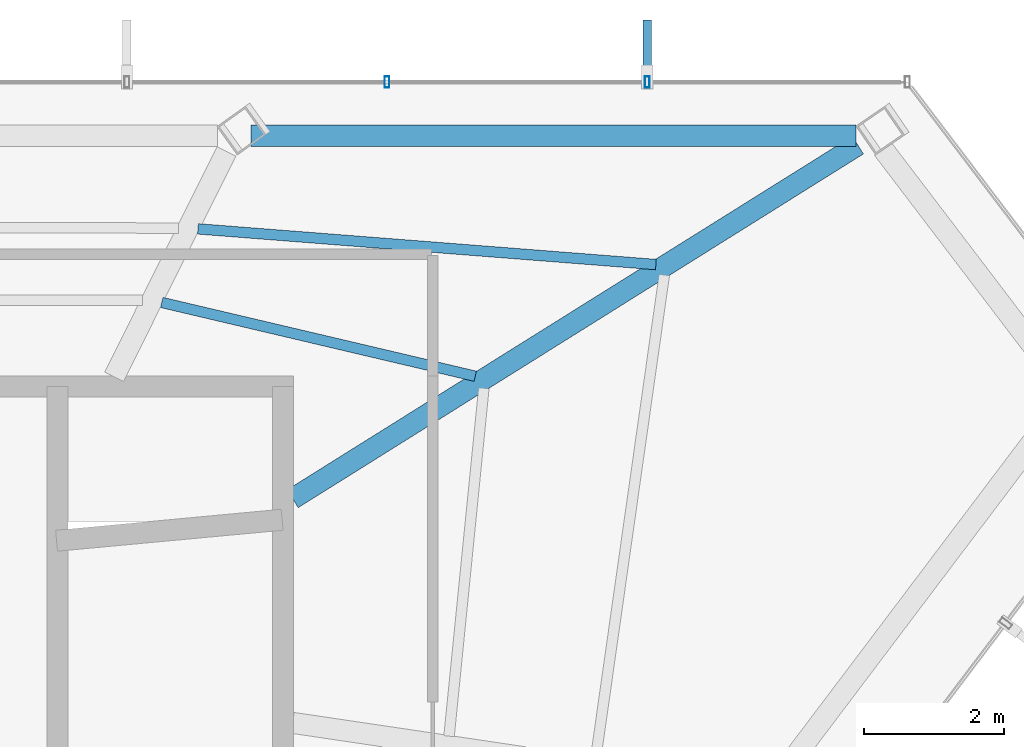
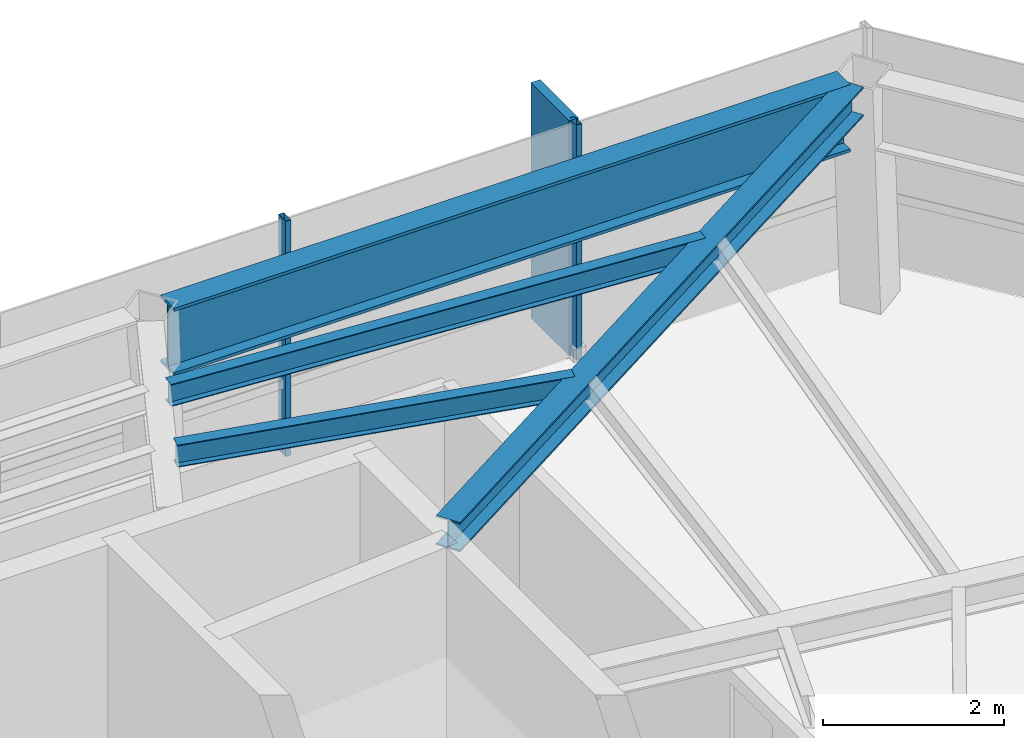
# One storey, part 19 of 25: 4 beams, 3 members, 1 element without a shape of its own.
"""IFC4 building model written with IfcOpenShell, lengths in metres."""

from ifc_helpers import new_model, si_unit, direction, frame, origin, origin_2d, place, context, subcontext, project, spatial, rectangle, hollow_rectangle, i_section, extrude, material, layer, layer_set, material_profile, profile_set, type_object, element, aggregate, save


model = new_model("IFC4")

# Units and contexts
model_context = context("Model", 3, precision=1e-05, world=origin(), true_north=direction((0.0, 1.0)))
body_context = subcontext(model_context, "Body", "Model", "MODEL_VIEW")
ifc_project = project(units=[si_unit("LENGTHUNIT", "METRE"), si_unit("AREAUNIT", "SQUARE_METRE"), si_unit("VOLUMEUNIT", "CUBIC_METRE"), si_unit("PLANEANGLEUNIT", "RADIAN"), si_unit("MASSUNIT", "GRAM", prefix="KILO")], contexts=[model_context])

# Site, building, storey
site_placement = place(None, origin())
site = spatial("IfcSite", under=ifc_project, at=site_placement, CompositionType="ELEMENT")
building_placement = place(site_placement, origin())
building = spatial("IfcBuilding", under=site, at=building_placement, Name="Zarrinselat Tower", CompositionType="ELEMENT")
storey_placement = place(building_placement, frame((0.0, 0.0, 275.39990234375)))
storey = spatial("IfcBuildingStorey", under=building, at=storey_placement, Name="L70", CompositionType="ELEMENT", Elevation=275.39990234375)

# Beams
ifc_material_1 = material(Name="Steel S355J2", Category="steel")
ifc_material_profile_1 = material_profile(ifc_material_1, i_section(OverallWidth=0.300048828125, OverallDepth=0.39990234375, WebThickness=0.013427734375, FlangeThickness=0.02392578125, at=origin_2d()), Name="HEB 400")
ifc_profile_set_1 = profile_set([ifc_material_profile_1], Name="Steel S355J2")
beam_type_1 = type_object("IfcBeamType", Name="BM-HEB400", PredefinedType="BEAM", material=ifc_profile_set_1)
beam_1_placement = place(storey_placement, frame((48.35009765625, 41.800048828125, 2.97998046875), z_axis=(0.84771145182, 0.530457627386, 0.0), x_axis=(-0.530457627386, 0.84771145182, 0.0)))
element("IfcBeam", 1, at=beam_1_placement, inside=storey, type_object=beam_type_1, Name="L70 Radial Primary Girder RG01", PredefinedType="BEAM", context=body_context, shape_type="SweptSolid", body=[
    extrude(i_section(OverallWidth=0.300048828125, OverallDepth=0.39990234375, WebThickness=0.013427734375, FlangeThickness=0.02392578125, at=origin_2d()), origin(), (0.0, 0.0, 1.0), 9.519287109375),
])
ifc_material_2 = material(Name="Steel S460M", Category="steel")
ifc_material_profile_2 = material_profile(ifc_material_2, i_section(OverallWidth=0.302001953125, OverallDepth=0.909912109375, WebThickness=0.02099609375, FlangeThickness=0.0400390625, at=origin_2d()), Name="HEM 900")
ifc_profile_set_2 = profile_set([ifc_material_profile_2], Name="Steel S460M")
beam_type_2 = type_object("IfcBeamType", Name="BM-HEM900", PredefinedType="BEAM", material=ifc_profile_set_2)
beam_2_placement = place(storey_placement, frame((47.754638671875, 46.9833984375, 2.72509765625), z_axis=(1.0, 0.0, 0.0), x_axis=(0.0, 1.0, 0.0)))
element("IfcBeam", 2, at=beam_2_placement, inside=storey, type_object=beam_type_2, Name="L70 Perimeter Spandrel Girder SP01", PredefinedType="BEAM", context=body_context, shape_type="SweptSolid", body=[
    extrude(i_section(OverallWidth=0.302001953125, OverallDepth=0.909912109375, WebThickness=0.02099609375, FlangeThickness=0.0400390625, at=origin_2d()), origin(), (0.0, 0.0, 1.0), 8.640625),
])
ifc_material_3 = material(Name="Steel S355J2", Category="steel")
ifc_material_profile_3 = material_profile(ifc_material_3, i_section(OverallWidth=0.14990234375, OverallDepth=0.300048828125, WebThickness=0.007080078125, FlangeThickness=0.0107421875, at=origin_2d()), Name="IPE 300")
ifc_profile_set_3 = profile_set([ifc_material_profile_3], Name="Steel S355J2")
beam_type_3 = type_object("IfcBeamType", Name="BM-IPE300", PredefinedType="JOIST", material=ifc_profile_set_3)
beam_3_placement = place(storey_placement, frame((46.998291015625, 45.65283203125, 3.030029296875), z_axis=(0.996980002098, -0.077658711142, 0.0), x_axis=(0.077658711142, 0.996980002098, 0.0)))
element("IfcBeam", 3, at=beam_3_placement, inside=storey, type_object=beam_type_3, Name="L70 Composite Floor Joist 5-1", PredefinedType="JOIST", context=body_context, shape_type="SweptSolid", body=[
    extrude(i_section(OverallWidth=0.14990234375, OverallDepth=0.300048828125, WebThickness=0.007080078125, FlangeThickness=0.0107421875, at=origin_2d()), origin(), (0.0, 0.0, 1.0), 6.557861328125),
])
beam_4_placement = place(storey_placement, frame((46.481689453125, 44.60205078125, 3.030029296875), z_axis=(0.973412990108, -0.229057090456, 0.0), x_axis=(0.229057090456, 0.973412990108, 0.0)))
element("IfcBeam", 4, at=beam_4_placement, inside=storey, type_object=beam_type_3, Name="L70 Composite Floor Joist 5-2", PredefinedType="JOIST", context=body_context, shape_type="SweptSolid", body=[
    extrude(i_section(OverallWidth=0.14990234375, OverallDepth=0.300048828125, WebThickness=0.007080078125, FlangeThickness=0.0107421875, at=origin_2d()), origin(), (0.0, 0.0, 1.0), 4.59814453125),
])

# Curtain wall, members
ifc_material_4 = material(Name="Extruded Aluminium Alloy EN AW-6063 T6", Category="aluminium")
ifc_layer = layer(ifc_material_4, 0.169921875)
ifc_layer_set = layer_set([ifc_layer], Name="Extruded Aluminium Alloy EN AW-6063 T6")
curtain_wall_type = type_object("IfcCurtainWallType", Name="CWS-RES", PredefinedType="NOTDEFINED", material=ifc_layer_set)
curtain_wall_placement = place(storey_placement, origin())
curtain_wall = element("IfcCurtainWall", 5, at=curtain_wall_placement, inside=storey, type_object=curtain_wall_type, Name="L70 Unitised Curtain Wall CW-L70-E01", PredefinedType="NOTDEFINED")
ifc_material_5 = material(Name="Extruded Aluminium Alloy EN AW-6063 T6", Category="aluminium")
ifc_material_profile_4 = material_profile(ifc_material_5, hollow_rectangle(XDim=0.070068359375, YDim=0.159912109375, WallThickness=0.00390625, at=origin_2d()), Name="RHS 160x70x4")
ifc_profile_set_4 = profile_set([ifc_material_profile_4], Name="Extruded Aluminium Alloy EN AW-6063 T6")
member_type_1 = type_object("IfcMemberType", Name="MEM-CW-MUL2", PredefinedType="MULLION", material=ifc_profile_set_4)
member_1_placement = place(storey_placement, frame((53.412109375, 47.75, 0.0), z_axis=(0.0, 0.0, 1.0), x_axis=(-1.0, 0.0, 0.0)))
member_1 = element("IfcMember", 6, at=member_1_placement, type_object=member_type_1, Name="CW-L70-E01 Mullion 1", PredefinedType="MULLION", context=body_context, shape_type="SweptSolid", body=[
    extrude(hollow_rectangle(XDim=0.070068359375, YDim=0.159912109375, WallThickness=0.00390625, at=origin_2d()), origin(), (0.0, 0.0, 1.0), 3.18017578125),
])
member_2_placement = place(storey_placement, frame((49.69775390625, 47.75, 0.0), z_axis=(0.0, 0.0, 1.0), x_axis=(-1.0, 0.0, 0.0)))
member_2 = element("IfcMember", 7, at=member_2_placement, type_object=member_type_1, Name="CW-L70-E01 Mullion 2", PredefinedType="MULLION", context=body_context, shape_type="SweptSolid", body=[
    extrude(hollow_rectangle(XDim=0.070068359375, YDim=0.159912109375, WallThickness=0.00390625, at=origin_2d()), origin(), (0.0, 0.0, 1.0), 3.18017578125),
])
ifc_material_6 = material(Name="Honed Cream Travertine Stone", Category="masonry")
ifc_material_profile_5 = material_profile(ifc_material_6, rectangle(XDim=0.1201171875, YDim=0.85009765625, at=origin_2d()), Name="FIN 850x120")
ifc_profile_set_5 = profile_set([ifc_material_profile_5], Name="Honed Cream Travertine Stone")
member_type_2 = type_object("IfcMemberType", Name="MEM-STONE-FIN", PredefinedType="USERDEFINED", material=ifc_profile_set_5)
member_3_placement = place(storey_placement, frame((53.412109375, 48.2099609375, 0.0), z_axis=(0.0, 0.0, 1.0), x_axis=(1.0, 0.0, 0.0)))
member_3 = element("IfcMember", 8, at=member_3_placement, type_object=member_type_2, Name="L70 Stone Shading Fin CW-L70-E01-01", ObjectType="FIN", PredefinedType="USERDEFINED", context=body_context, shape_type="SweptSolid", body=[
    extrude(rectangle(XDim=0.1201171875, YDim=0.85009765625, at=origin_2d()), origin(), (0.0, 0.0, 1.0), 3.18017578125),
])
aggregate(curtain_wall, [member_1, member_3, member_2])

save(model, "model.ifc")
